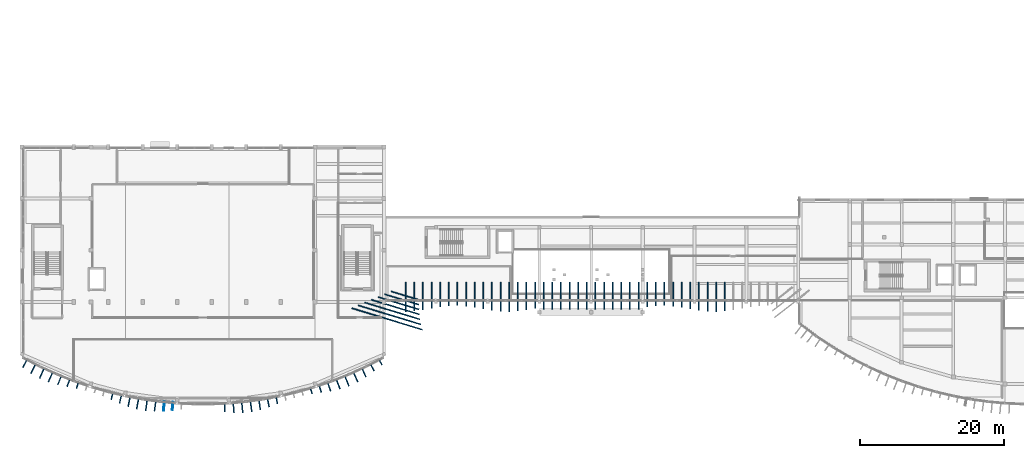
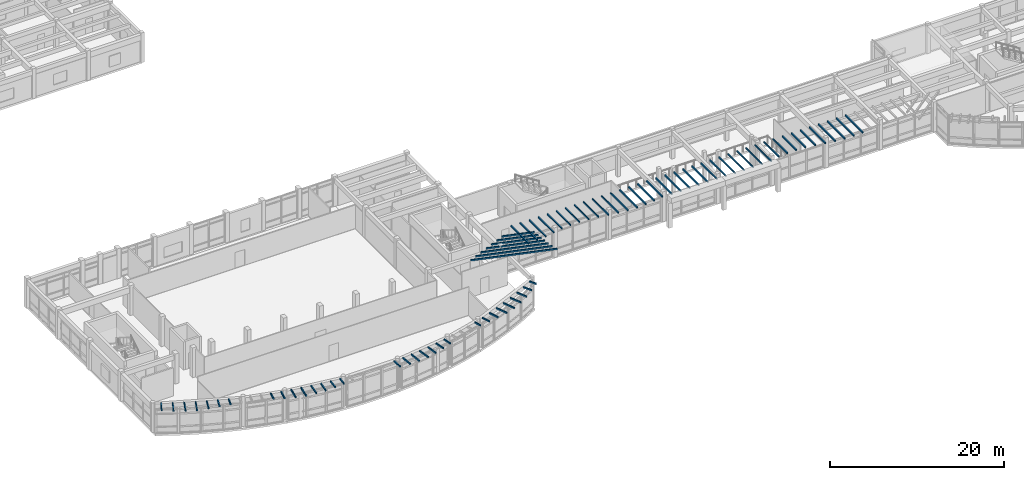
# One storey, part 45 of 60: 76 discrete accessories.
"""IFC4 building model written with IfcOpenShell, lengths in metres."""

from ifc_helpers import new_model, si_unit, direction, frame, origin, origin_2d, place, context, subcontext, project, spatial, rectangle, extrude, material, type_object, element, save


model = new_model("IFC4")

# Units and contexts
model_context = context("Model", 3, precision=1e-05, world=origin(), true_north=direction((0.0, 1.0)))
body_context = subcontext(model_context, "Body", "Model", "MODEL_VIEW")
ifc_project = project(units=[si_unit("LENGTHUNIT", "METRE"), si_unit("AREAUNIT", "SQUARE_METRE"), si_unit("VOLUMEUNIT", "CUBIC_METRE"), si_unit("PLANEANGLEUNIT", "RADIAN"), si_unit("MASSUNIT", "GRAM", prefix="KILO")], contexts=[model_context])

# Site, building, storey
site_placement = place(None, origin())
site = spatial("IfcSite", under=ifc_project, at=site_placement, CompositionType="ELEMENT")
building_placement = place(site_placement, origin())
building = spatial("IfcBuilding", under=site, at=building_placement, Name="Brisavento Harbour Community Centre", CompositionType="ELEMENT")
storey_placement = place(building_placement, frame((0.0, 0.0, 4.5)))
storey = spatial("IfcBuildingStorey", under=building, at=storey_placement, Name="L01", CompositionType="ELEMENT", Elevation=4.5)

# Discrete accessories
ifc_material = material(Name="Stainless steel 1.4401", Category="steel")
discrete_accessory_type = type_object("IfcDiscreteAccessoryType", Name="BRK-FIN-SS", PredefinedType="BRACKET", material=ifc_material)
discrete_accessory_1_placement = place(storey_placement, frame((0.431884765625, 5.878662109375, 3.97998046875), z_axis=(0.0, 0.0, 1.0), x_axis=(-0.461702168823, -0.887035009063, 0.0)))
element("IfcDiscreteAccessory", 1, at=discrete_accessory_1_placement, inside=storey, type_object=discrete_accessory_type, Name="Stainless-steel storm-fin bracket 001.3", PredefinedType="BRACKET", context=body_context, shape_type="SweptSolid", body=[
    extrude(rectangle(XDim=1.32861328125, YDim=0.139892578125, at=origin_2d()), origin(), (0.0, 0.0, 1.0), 0.199951171875),
])
discrete_accessory_2_placement = place(storey_placement, frame((1.58447265625, 5.1630859375, 3.97998046875), z_axis=(0.0, 0.0, 1.0), x_axis=(-0.461702168823, -0.887035009063, 0.0)))
element("IfcDiscreteAccessory", 2, at=discrete_accessory_2_placement, inside=storey, type_object=discrete_accessory_type, Name="Stainless-steel storm-fin bracket 002.3", PredefinedType="BRACKET", context=body_context, shape_type="SweptSolid", body=[
    extrude(rectangle(XDim=1.533935546875, YDim=0.139892578125, at=origin_2d()), origin(), (0.0, 0.0, 1.0), 0.199951171875),
])
discrete_accessory_3_placement = place(storey_placement, frame((2.786376953125, 4.5234375, 3.97998046875), z_axis=(0.0, 0.0, 1.0), x_axis=(-0.415518926407, -0.909584532519, 0.0)))
element("IfcDiscreteAccessory", 3, at=discrete_accessory_3_placement, inside=storey, type_object=discrete_accessory_type, Name="Stainless-steel storm-fin bracket 003.3", PredefinedType="BRACKET", context=body_context, shape_type="SweptSolid", body=[
    extrude(rectangle(XDim=1.627685546875, YDim=0.139892578125, at=origin_2d()), origin(), (0.0, 0.0, 1.0), 0.199951171875),
])
discrete_accessory_4_placement = place(storey_placement, frame((3.99560546875, 3.99560546875, 3.97998046875), z_axis=(0.0, 0.0, 1.0), x_axis=(-0.415518926407, -0.909584532519, 0.0)))
element("IfcDiscreteAccessory", 4, at=discrete_accessory_4_placement, inside=storey, type_object=discrete_accessory_type, Name="Stainless-steel storm-fin bracket 004.3", PredefinedType="BRACKET", context=body_context, shape_type="SweptSolid", body=[
    extrude(rectangle(XDim=1.583251953125, YDim=0.139892578125, at=origin_2d()), origin(), (0.0, 0.0, 1.0), 0.199951171875),
])
discrete_accessory_5_placement = place(storey_placement, frame((5.248779296875, 3.549560546875, 3.97998046875), z_axis=(0.0, 0.0, 1.0), x_axis=(-0.369341311525, -0.92929381554, 0.0)))
element("IfcDiscreteAccessory", 5, at=discrete_accessory_5_placement, inside=storey, type_object=discrete_accessory_type, Name="Stainless-steel storm-fin bracket 005.3", PredefinedType="BRACKET", context=body_context, shape_type="SweptSolid", body=[
    extrude(rectangle(XDim=1.419189453125, YDim=0.139892578125, at=origin_2d()), origin(), (0.0, 0.0, 1.0), 0.199951171875),
])
discrete_accessory_6_placement = place(storey_placement, frame((6.490966796875, 3.17919921875, 3.97998046875), z_axis=(0.0, 0.0, 1.0), x_axis=(-0.369341311525, -0.92929381554, 0.0)))
element("IfcDiscreteAccessory", 6, at=discrete_accessory_6_placement, inside=storey, type_object=discrete_accessory_type, Name="Stainless-steel storm-fin bracket 006.3", PredefinedType="BRACKET", context=body_context, shape_type="SweptSolid", body=[
    extrude(rectangle(XDim=1.18994140625, YDim=0.139892578125, at=origin_2d()), origin(), (0.0, 0.0, 1.0), 0.199951171875),
])
discrete_accessory_7_placement = place(storey_placement, frame((7.74072265625, 2.836181640625, 3.97998046875), z_axis=(0.0, 0.0, 1.0), x_axis=(-0.323174264667, -0.94633947115, 0.0)))
element("IfcDiscreteAccessory", 7, at=discrete_accessory_7_placement, inside=storey, type_object=discrete_accessory_type, Name="Stainless-steel storm-fin bracket 007.3", PredefinedType="BRACKET", context=body_context, shape_type="SweptSolid", body=[
    extrude(rectangle(XDim=0.96728515625, YDim=0.139892578125, at=origin_2d()), origin(), (0.0, 0.0, 1.0), 0.199951171875),
])
discrete_accessory_8_placement = place(storey_placement, frame((12.54736328125, 1.339111328125, 3.97998046875), z_axis=(0.0, 0.0, 1.0), x_axis=(-0.230830981037, -0.972993863389, 0.0)))
element("IfcDiscreteAccessory", 8, at=discrete_accessory_8_placement, inside=storey, type_object=discrete_accessory_type, Name="Stainless-steel storm-fin bracket 011.3", PredefinedType="BRACKET", context=body_context, shape_type="SweptSolid", body=[
    extrude(rectangle(XDim=1.0556640625, YDim=0.139892578125, at=origin_2d()), origin(), (0.0, 0.0, 1.0), 0.199951171875),
])
discrete_accessory_9_placement = place(storey_placement, frame((13.721435546875, 0.945068359375, 3.97998046875), z_axis=(0.0, 0.0, 1.0), x_axis=(-0.230830981037, -0.972993863389, 0.0)))
element("IfcDiscreteAccessory", 9, at=discrete_accessory_9_placement, inside=storey, type_object=discrete_accessory_type, Name="Stainless-steel storm-fin bracket 012.3", PredefinedType="BRACKET", context=body_context, shape_type="SweptSolid", body=[
    extrude(rectangle(XDim=1.28076171875, YDim=0.139892578125, at=origin_2d()), origin(), (0.0, 0.0, 1.0), 0.199951171875),
])
discrete_accessory_10_placement = place(storey_placement, frame((14.91845703125, 0.5869140625, 3.97998046875), z_axis=(0.0, 0.0, 1.0), x_axis=(-0.184671830369, -0.982800241691, 0.0)))
element("IfcDiscreteAccessory", 10, at=discrete_accessory_10_placement, inside=storey, type_object=discrete_accessory_type, Name="Stainless-steel storm-fin bracket 013.3", PredefinedType="BRACKET", context=body_context, shape_type="SweptSolid", body=[
    extrude(rectangle(XDim=1.4833984375, YDim=0.139892578125, at=origin_2d()), origin(), (0.0, 0.0, 1.0), 0.199951171875),
])
discrete_accessory_11_placement = place(storey_placement, frame((16.10693359375, 0.30029296875, 3.97998046875), z_axis=(0.0, 0.0, 1.0), x_axis=(-0.184671830369, -0.982800241691, 0.0)))
element("IfcDiscreteAccessory", 11, at=discrete_accessory_11_placement, inside=storey, type_object=discrete_accessory_type, Name="Stainless-steel storm-fin bracket 014.3", PredefinedType="BRACKET", context=body_context, shape_type="SweptSolid", body=[
    extrude(rectangle(XDim=1.60791015625, YDim=0.139892578125, at=origin_2d()), origin(), (0.0, 0.0, 1.0), 0.199951171875),
])
discrete_accessory_12_placement = place(storey_placement, frame((17.329345703125, 0.093505859375, 3.97998046875), z_axis=(0.0, 0.0, 1.0), x_axis=(-0.138499014678, -0.990362571452, 0.0)))
element("IfcDiscreteAccessory", 12, at=discrete_accessory_12_placement, inside=storey, type_object=discrete_accessory_type, Name="Stainless-steel storm-fin bracket 015.3", PredefinedType="BRACKET", context=body_context, shape_type="SweptSolid", body=[
    extrude(rectangle(XDim=1.620849609375, YDim=0.139892578125, at=origin_2d()), origin(), (0.0, 0.0, 1.0), 0.199951171875),
])
discrete_accessory_13_placement = place(storey_placement, frame((18.536376953125, -0.0244140625, 3.97998046875), z_axis=(0.0, 0.0, 1.0), x_axis=(-0.138499014678, -0.990362571452, 0.0)))
element("IfcDiscreteAccessory", 13, at=discrete_accessory_13_placement, inside=storey, type_object=discrete_accessory_type, Name="Stainless-steel storm-fin bracket 016.3", PredefinedType="BRACKET", context=body_context, shape_type="SweptSolid", body=[
    extrude(rectangle(XDim=1.52001953125, YDim=0.139892578125, at=origin_2d()), origin(), (0.0, 0.0, 1.0), 0.199951171875),
])
discrete_accessory_14_placement = place(storey_placement, frame((19.76611328125, -0.073486328125, 3.97998046875), z_axis=(0.0, 0.0, 1.0), x_axis=(-0.092335830041, -0.99572792192, 0.0)))
element("IfcDiscreteAccessory", 14, at=discrete_accessory_14_placement, inside=storey, type_object=discrete_accessory_type, Name="Stainless-steel storm-fin bracket 017.3", PredefinedType="BRACKET", context=body_context, shape_type="SweptSolid", body=[
    extrude(rectangle(XDim=1.333740234375, YDim=0.139892578125, at=origin_2d()), origin(), (0.0, 0.0, 1.0), 0.199951171875),
])
discrete_accessory_15_placement = place(storey_placement, frame((20.976318359375, -0.074951171875, 3.97998046875), z_axis=(0.0, 0.0, 1.0), x_axis=(-0.092335830041, -0.99572792192, 0.0)))
element("IfcDiscreteAccessory", 15, at=discrete_accessory_15_placement, inside=storey, type_object=discrete_accessory_type, Name="Stainless-steel storm-fin bracket 018.3", PredefinedType="BRACKET", context=body_context, shape_type="SweptSolid", body=[
    extrude(rectangle(XDim=1.11279296875, YDim=0.139892578125, at=origin_2d()), origin(), (0.0, 0.0, 1.0), 0.199951171875),
])
discrete_accessory_16_placement = place(storey_placement, frame((28.216064453125, -0.251708984375, 3.97998046875), z_axis=(0.0, 0.0, 1.0), x_axis=(0.0461649984, -0.9989338281, 0.0)))
element("IfcDiscreteAccessory", 16, at=discrete_accessory_16_placement, inside=storey, type_object=discrete_accessory_type, Name="Stainless-steel storm-fin bracket 020.3", PredefinedType="BRACKET", context=body_context, shape_type="SweptSolid", body=[
    extrude(rectangle(XDim=1.29833984375, YDim=0.139892578125, at=origin_2d()), origin(), (0.0, 0.0, 1.0), 0.199951171875),
])
discrete_accessory_17_placement = place(storey_placement, frame((29.441162109375, -0.264404296875, 3.97998046875), z_axis=(0.0, 0.0, 1.0), x_axis=(0.092335830041, -0.99572792192, 0.0)))
element("IfcDiscreteAccessory", 17, at=discrete_accessory_17_placement, inside=storey, type_object=discrete_accessory_type, Name="Stainless-steel storm-fin bracket 021.3", PredefinedType="BRACKET", context=body_context, shape_type="SweptSolid", body=[
    extrude(rectangle(XDim=1.49365234375, YDim=0.139892578125, at=origin_2d()), origin(), (0.0, 0.0, 1.0), 0.199951171875),
])
discrete_accessory_18_placement = place(storey_placement, frame((30.646728515625, -0.211669921875, 3.97998046875), z_axis=(0.0, 0.0, 1.0), x_axis=(0.092335830041, -0.99572792192, 0.0)))
element("IfcDiscreteAccessory", 18, at=discrete_accessory_18_placement, inside=storey, type_object=discrete_accessory_type, Name="Stainless-steel storm-fin bracket 022.3", PredefinedType="BRACKET", context=body_context, shape_type="SweptSolid", body=[
    extrude(rectangle(XDim=1.611083984375, YDim=0.139892578125, at=origin_2d()), origin(), (0.0, 0.0, 1.0), 0.199951171875),
])
discrete_accessory_19_placement = place(storey_placement, frame((31.87060546875, -0.0732421875, 3.97998046875), z_axis=(0.0, 0.0, 1.0), x_axis=(0.138499014678, -0.990362571452, 0.0)))
element("IfcDiscreteAccessory", 19, at=discrete_accessory_19_placement, inside=storey, type_object=discrete_accessory_type, Name="Stainless-steel storm-fin bracket 023.3", PredefinedType="BRACKET", context=body_context, shape_type="SweptSolid", body=[
    extrude(rectangle(XDim=1.618896484375, YDim=0.139892578125, at=origin_2d()), origin(), (0.0, 0.0, 1.0), 0.199951171875),
])
discrete_accessory_20_placement = place(storey_placement, frame((33.063232421875, 0.146484375, 3.97998046875), z_axis=(0.0, 0.0, 1.0), x_axis=(0.138499014678, -0.990362571452, 0.0)))
element("IfcDiscreteAccessory", 20, at=discrete_accessory_20_placement, inside=storey, type_object=discrete_accessory_type, Name="Stainless-steel storm-fin bracket 024.3", PredefinedType="BRACKET", context=body_context, shape_type="SweptSolid", body=[
    extrude(rectangle(XDim=1.513916015625, YDim=0.139892578125, at=origin_2d()), origin(), (0.0, 0.0, 1.0), 0.199951171875),
])
discrete_accessory_21_placement = place(storey_placement, frame((34.266845703125, 0.440185546875, 3.97998046875), z_axis=(0.0, 0.0, 1.0), x_axis=(0.184671830369, -0.982800241691, 0.0)))
element("IfcDiscreteAccessory", 21, at=discrete_accessory_21_placement, inside=storey, type_object=discrete_accessory_type, Name="Stainless-steel storm-fin bracket 025.3", PredefinedType="BRACKET", context=body_context, shape_type="SweptSolid", body=[
    extrude(rectangle(XDim=1.323486328125, YDim=0.139892578125, at=origin_2d()), origin(), (0.0, 0.0, 1.0), 0.199951171875),
])
discrete_accessory_22_placement = place(storey_placement, frame((35.4462890625, 0.775634765625, 3.97998046875), z_axis=(0.0, 0.0, 1.0), x_axis=(0.184671830369, -0.982800241691, 0.0)))
element("IfcDiscreteAccessory", 22, at=discrete_accessory_22_placement, inside=storey, type_object=discrete_accessory_type, Name="Stainless-steel storm-fin bracket 026.3", PredefinedType="BRACKET", context=body_context, shape_type="SweptSolid", body=[
    extrude(rectangle(XDim=1.099853515625, YDim=0.139892578125, at=origin_2d()), origin(), (0.0, 0.0, 1.0), 0.199951171875),
])
discrete_accessory_23_placement = place(storey_placement, frame((40.244384765625, 2.06787109375, 3.97998046875), z_axis=(0.0, 0.0, 1.0), x_axis=(0.276996031628, -0.96087106235, 0.0)))
element("IfcDiscreteAccessory", 23, at=discrete_accessory_23_placement, inside=storey, type_object=discrete_accessory_type, Name="Stainless-steel storm-fin bracket 030.3", PredefinedType="BRACKET", context=body_context, shape_type="SweptSolid", body=[
    extrude(rectangle(XDim=0.921142578125, YDim=0.139892578125, at=origin_2d()), origin(), (0.0, 0.0, 1.0), 0.199951171875),
])
discrete_accessory_24_placement = place(storey_placement, frame((41.4853515625, 2.350341796875, 3.97998046875), z_axis=(0.0, 0.0, 1.0), x_axis=(0.323174264667, -0.94633947115, 0.0)))
element("IfcDiscreteAccessory", 24, at=discrete_accessory_24_placement, inside=storey, type_object=discrete_accessory_type, Name="Stainless-steel storm-fin bracket 031.3", PredefinedType="BRACKET", context=body_context, shape_type="SweptSolid", body=[
    extrude(rectangle(XDim=1.1279296875, YDim=0.139892578125, at=origin_2d()), origin(), (0.0, 0.0, 1.0), 0.199951171875),
])
discrete_accessory_25_placement = place(storey_placement, frame((42.72265625, 2.650634765625, 3.97998046875), z_axis=(0.0, 0.0, 1.0), x_axis=(0.323174264667, -0.94633947115, 0.0)))
element("IfcDiscreteAccessory", 25, at=discrete_accessory_25_placement, inside=storey, type_object=discrete_accessory_type, Name="Stainless-steel storm-fin bracket 032.3", PredefinedType="BRACKET", context=body_context, shape_type="SweptSolid", body=[
    extrude(rectangle(XDim=1.359130859375, YDim=0.139892578125, at=origin_2d()), origin(), (0.0, 0.0, 1.0), 0.199951171875),
])
discrete_accessory_26_placement = place(storey_placement, frame((43.974609375, 3.013916015625, 3.97998046875), z_axis=(0.0, 0.0, 1.0), x_axis=(0.369341311525, -0.92929381554, 0.0)))
element("IfcDiscreteAccessory", 26, at=discrete_accessory_26_placement, inside=storey, type_object=discrete_accessory_type, Name="Stainless-steel storm-fin bracket 033.3", PredefinedType="BRACKET", context=body_context, shape_type="SweptSolid", body=[
    extrude(rectangle(XDim=1.54541015625, YDim=0.139892578125, at=origin_2d()), origin(), (0.0, 0.0, 1.0), 0.199951171875),
])
discrete_accessory_27_placement = place(storey_placement, frame((45.18994140625, 3.4521484375, 3.97998046875), z_axis=(0.0, 0.0, 1.0), x_axis=(0.369341311525, -0.92929381554, 0.0)))
element("IfcDiscreteAccessory", 27, at=discrete_accessory_27_placement, inside=storey, type_object=discrete_accessory_type, Name="Stainless-steel storm-fin bracket 034.3", PredefinedType="BRACKET", context=body_context, shape_type="SweptSolid", body=[
    extrude(rectangle(XDim=1.628662109375, YDim=0.139892578125, at=origin_2d()), origin(), (0.0, 0.0, 1.0), 0.199951171875),
])
discrete_accessory_28_placement = place(storey_placement, frame((46.403564453125, 3.9970703125, 3.97998046875), z_axis=(0.0, 0.0, 1.0), x_axis=(0.415518926407, -0.909584532519, 0.0)))
element("IfcDiscreteAccessory", 28, at=discrete_accessory_28_placement, inside=storey, type_object=discrete_accessory_type, Name="Stainless-steel storm-fin bracket 035.3", PredefinedType="BRACKET", context=body_context, shape_type="SweptSolid", body=[
    extrude(rectangle(XDim=1.57958984375, YDim=0.139892578125, at=origin_2d()), origin(), (0.0, 0.0, 1.0), 0.199951171875),
])
discrete_accessory_29_placement = place(storey_placement, frame((47.568359375, 4.62255859375, 3.97998046875), z_axis=(0.0, 0.0, 1.0), x_axis=(0.415518926407, -0.909584532519, 0.0)))
element("IfcDiscreteAccessory", 29, at=discrete_accessory_29_placement, inside=storey, type_object=discrete_accessory_type, Name="Stainless-steel storm-fin bracket 036.3", PredefinedType="BRACKET", context=body_context, shape_type="SweptSolid", body=[
    extrude(rectangle(XDim=1.41015625, YDim=0.139892578125, at=origin_2d()), origin(), (0.0, 0.0, 1.0), 0.199951171875),
])
discrete_accessory_30_placement = place(storey_placement, frame((48.73193359375, 5.323974609375, 3.97998046875), z_axis=(0.0, 0.0, 1.0), x_axis=(0.461702168823, -0.887035009063, 0.0)))
element("IfcDiscreteAccessory", 30, at=discrete_accessory_30_placement, inside=storey, type_object=discrete_accessory_type, Name="Stainless-steel storm-fin bracket 037.3", PredefinedType="BRACKET", context=body_context, shape_type="SweptSolid", body=[
    extrude(rectangle(XDim=1.17138671875, YDim=0.139892578125, at=origin_2d()), origin(), (0.0, 0.0, 1.0), 0.199951171875),
])
discrete_accessory_31_placement = place(storey_placement, frame((49.878662109375, 6.050537109375, 3.97998046875), z_axis=(0.0, 0.0, 1.0), x_axis=(0.461702168823, -0.887035009063, 0.0)))
element("IfcDiscreteAccessory", 31, at=discrete_accessory_31_placement, inside=storey, type_object=discrete_accessory_type, Name="Stainless-steel storm-fin bracket 038.3", PredefinedType="BRACKET", context=body_context, shape_type="SweptSolid", body=[
    extrude(rectangle(XDim=0.941162109375, YDim=0.139892578125, at=origin_2d()), origin(), (0.0, 0.0, 1.0), 0.199951171875),
])
discrete_accessory_32_placement = place(storey_placement, frame((50.813232421875, 12.0400390625, 3.97998046875), z_axis=(0.0, 0.0, 1.0), x_axis=(0.956676487643, -0.291153049083, 0.0)))
element("IfcDiscreteAccessory", 32, at=discrete_accessory_32_placement, inside=storey, type_object=discrete_accessory_type, Name="Stainless-steel storm-fin bracket 039.3", PredefinedType="BRACKET", context=body_context, shape_type="SweptSolid", body=[
    extrude(rectangle(XDim=10.231201171875, YDim=0.139892578125, at=origin_2d()), origin(), (0.0, 0.0, 1.0), 0.199951171875),
])
discrete_accessory_33_placement = place(storey_placement, frame((51.146728515625, 12.606201171875, 3.97998046875), z_axis=(0.0, 0.0, 1.0), x_axis=(0.956676487643, -0.291153049083, 0.0)))
element("IfcDiscreteAccessory", 33, at=discrete_accessory_33_placement, inside=storey, type_object=discrete_accessory_type, Name="Stainless-steel storm-fin bracket 040.3", PredefinedType="BRACKET", context=body_context, shape_type="SweptSolid", body=[
    extrude(rectangle(XDim=9.099365234375, YDim=0.139892578125, at=origin_2d()), origin(), (0.0, 0.0, 1.0), 0.199951171875),
])
discrete_accessory_34_placement = place(storey_placement, frame((51.53173828125, 13.15673828125, 3.97998046875), z_axis=(0.0, 0.0, 1.0), x_axis=(0.956676487643, -0.291153049083, 0.0)))
element("IfcDiscreteAccessory", 34, at=discrete_accessory_34_placement, inside=storey, type_object=discrete_accessory_type, Name="Stainless-steel storm-fin bracket 041.3", PredefinedType="BRACKET", context=body_context, shape_type="SweptSolid", body=[
    extrude(rectangle(XDim=8.005615234375, YDim=0.139892578125, at=origin_2d()), origin(), (0.0, 0.0, 1.0), 0.199951171875),
])
discrete_accessory_35_placement = place(storey_placement, frame((51.957763671875, 13.694580078125, 3.97998046875), z_axis=(0.0, 0.0, 1.0), x_axis=(0.956676487643, -0.291153049083, 0.0)))
element("IfcDiscreteAccessory", 35, at=discrete_accessory_35_placement, inside=storey, type_object=discrete_accessory_type, Name="Stainless-steel storm-fin bracket 042.3", PredefinedType="BRACKET", context=body_context, shape_type="SweptSolid", body=[
    extrude(rectangle(XDim=6.947509765625, YDim=0.139892578125, at=origin_2d()), origin(), (0.0, 0.0, 1.0), 0.199951171875),
])
discrete_accessory_36_placement = place(storey_placement, frame((52.4033203125, 14.226806640625, 3.97998046875), z_axis=(0.0, 0.0, 1.0), x_axis=(0.956676487643, -0.291153049083, 0.0)))
element("IfcDiscreteAccessory", 36, at=discrete_accessory_36_placement, inside=storey, type_object=discrete_accessory_type, Name="Stainless-steel storm-fin bracket 043.3", PredefinedType="BRACKET", context=body_context, shape_type="SweptSolid", body=[
    extrude(rectangle(XDim=5.918701171875, YDim=0.139892578125, at=origin_2d()), origin(), (0.0, 0.0, 1.0), 0.199951171875),
])
discrete_accessory_37_placement = place(storey_placement, frame((52.841552734375, 14.760986328125, 3.97998046875), z_axis=(0.0, 0.0, 1.0), x_axis=(0.956676487643, -0.291153049083, 0.0)))
element("IfcDiscreteAccessory", 37, at=discrete_accessory_37_placement, inside=storey, type_object=discrete_accessory_type, Name="Stainless-steel storm-fin bracket 044.3", PredefinedType="BRACKET", context=body_context, shape_type="SweptSolid", body=[
    extrude(rectangle(XDim=4.90576171875, YDim=0.139892578125, at=origin_2d()), origin(), (0.0, 0.0, 1.0), 0.199951171875),
])
discrete_accessory_38_placement = place(storey_placement, frame((53.248046875, 15.304931640625, 3.97998046875), z_axis=(0.0, 0.0, 1.0), x_axis=(0.956676487643, -0.291153049083, 0.0)))
element("IfcDiscreteAccessory", 38, at=discrete_accessory_38_placement, inside=storey, type_object=discrete_accessory_type, Name="Stainless-steel storm-fin bracket 045.3", PredefinedType="BRACKET", context=body_context, shape_type="SweptSolid", body=[
    extrude(rectangle(XDim=3.892822265625, YDim=0.139892578125, at=origin_2d()), origin(), (0.0, 0.0, 1.0), 0.199951171875),
])
discrete_accessory_39_placement = place(storey_placement, frame((53.39990234375, 15.111328125, 3.97998046875), z_axis=(0.0, 0.0, 1.0), x_axis=(0.0, -1.0, 0.0)))
element("IfcDiscreteAccessory", 39, at=discrete_accessory_39_placement, inside=storey, type_object=discrete_accessory_type, Name="Stainless-steel storm-fin bracket 046.3", PredefinedType="BRACKET", context=body_context, shape_type="SweptSolid", body=[
    extrude(rectangle(XDim=4.077392578125, YDim=0.139892578125, at=origin_2d()), origin(), (0.0, 0.0, 1.0), 0.199951171875),
])
discrete_accessory_40_placement = place(storey_placement, frame((54.60009765625, 15.1513671875, 3.97998046875), z_axis=(0.0, 0.0, 1.0), x_axis=(0.0, -1.0, 0.0)))
element("IfcDiscreteAccessory", 40, at=discrete_accessory_40_placement, inside=storey, type_object=discrete_accessory_type, Name="Stainless-steel storm-fin bracket 047.3", PredefinedType="BRACKET", context=body_context, shape_type="SweptSolid", body=[
    extrude(rectangle(XDim=3.997314453125, YDim=0.139892578125, at=origin_2d()), origin(), (0.0, 0.0, 1.0), 0.199951171875),
])
discrete_accessory_41_placement = place(storey_placement, frame((55.800048828125, 15.2373046875, 3.97998046875), z_axis=(0.0, 0.0, 1.0), x_axis=(0.0, -1.0, 0.0)))
element("IfcDiscreteAccessory", 41, at=discrete_accessory_41_placement, inside=storey, type_object=discrete_accessory_type, Name="Stainless-steel storm-fin bracket 048.3", PredefinedType="BRACKET", context=body_context, shape_type="SweptSolid", body=[
    extrude(rectangle(XDim=3.825439453125, YDim=0.139892578125, at=origin_2d()), origin(), (0.0, 0.0, 1.0), 0.199951171875),
])
discrete_accessory_42_placement = place(storey_placement, frame((57.0, 15.345947265625, 3.97998046875), z_axis=(0.0, 0.0, 1.0), x_axis=(0.0, -1.0, 0.0)))
element("IfcDiscreteAccessory", 42, at=discrete_accessory_42_placement, inside=storey, type_object=discrete_accessory_type, Name="Stainless-steel storm-fin bracket 049.3", PredefinedType="BRACKET", context=body_context, shape_type="SweptSolid", body=[
    extrude(rectangle(XDim=3.60791015625, YDim=0.139892578125, at=origin_2d()), origin(), (0.0, 0.0, 1.0), 0.199951171875),
])
discrete_accessory_43_placement = place(storey_placement, frame((58.199951171875, 15.448486328125, 3.97998046875), z_axis=(0.0, 0.0, 1.0), x_axis=(0.0, -1.0, 0.0)))
element("IfcDiscreteAccessory", 43, at=discrete_accessory_43_placement, inside=storey, type_object=discrete_accessory_type, Name="Stainless-steel storm-fin bracket 050.3", PredefinedType="BRACKET", context=body_context, shape_type="SweptSolid", body=[
    extrude(rectangle(XDim=3.403076171875, YDim=0.139892578125, at=origin_2d()), origin(), (0.0, 0.0, 1.0), 0.199951171875),
])
discrete_accessory_44_placement = place(storey_placement, frame((59.39990234375, 15.51708984375, 3.97998046875), z_axis=(0.0, 0.0, 1.0), x_axis=(0.0, -1.0, 0.0)))
element("IfcDiscreteAccessory", 44, at=discrete_accessory_44_placement, inside=storey, type_object=discrete_accessory_type, Name="Stainless-steel storm-fin bracket 051.3", PredefinedType="BRACKET", context=body_context, shape_type="SweptSolid", body=[
    extrude(rectangle(XDim=3.265625, YDim=0.139892578125, at=origin_2d()), origin(), (0.0, 0.0, 1.0), 0.199951171875),
])
discrete_accessory_45_placement = place(storey_placement, frame((60.60009765625, 15.53369140625, 3.97998046875), z_axis=(0.0, 0.0, 1.0), x_axis=(0.0, -1.0, 0.0)))
element("IfcDiscreteAccessory", 45, at=discrete_accessory_45_placement, inside=storey, type_object=discrete_accessory_type, Name="Stainless-steel storm-fin bracket 052.3", PredefinedType="BRACKET", context=body_context, shape_type="SweptSolid", body=[
    extrude(rectangle(XDim=3.232666015625, YDim=0.139892578125, at=origin_2d()), origin(), (0.0, 0.0, 1.0), 0.199951171875),
])
discrete_accessory_46_placement = place(storey_placement, frame((61.800048828125, 15.49365234375, 3.97998046875), z_axis=(0.0, 0.0, 1.0), x_axis=(0.0, -1.0, 0.0)))
element("IfcDiscreteAccessory", 46, at=discrete_accessory_46_placement, inside=storey, type_object=discrete_accessory_type, Name="Stainless-steel storm-fin bracket 053.3", PredefinedType="BRACKET", context=body_context, shape_type="SweptSolid", body=[
    extrude(rectangle(XDim=3.312744140625, YDim=0.139892578125, at=origin_2d()), origin(), (0.0, 0.0, 1.0), 0.199951171875),
])
discrete_accessory_47_placement = place(storey_placement, frame((63.0, 15.40771484375, 3.97998046875), z_axis=(0.0, 0.0, 1.0), x_axis=(0.0, -1.0, 0.0)))
element("IfcDiscreteAccessory", 47, at=discrete_accessory_47_placement, inside=storey, type_object=discrete_accessory_type, Name="Stainless-steel storm-fin bracket 054.3", PredefinedType="BRACKET", context=body_context, shape_type="SweptSolid", body=[
    extrude(rectangle(XDim=3.484619140625, YDim=0.139892578125, at=origin_2d()), origin(), (0.0, 0.0, 1.0), 0.199951171875),
])
discrete_accessory_48_placement = place(storey_placement, frame((64.199951171875, 15.299072265625, 3.97998046875), z_axis=(0.0, 0.0, 1.0), x_axis=(0.0, -1.0, 0.0)))
element("IfcDiscreteAccessory", 48, at=discrete_accessory_48_placement, inside=storey, type_object=discrete_accessory_type, Name="Stainless-steel storm-fin bracket 055.3", PredefinedType="BRACKET", context=body_context, shape_type="SweptSolid", body=[
    extrude(rectangle(XDim=3.701904296875, YDim=0.139892578125, at=origin_2d()), origin(), (0.0, 0.0, 1.0), 0.199951171875),
])
discrete_accessory_49_placement = place(storey_placement, frame((65.39990234375, 15.196533203125, 3.97998046875), z_axis=(0.0, 0.0, 1.0), x_axis=(0.0, -1.0, 0.0)))
element("IfcDiscreteAccessory", 49, at=discrete_accessory_49_placement, inside=storey, type_object=discrete_accessory_type, Name="Stainless-steel storm-fin bracket 056.3", PredefinedType="BRACKET", context=body_context, shape_type="SweptSolid", body=[
    extrude(rectangle(XDim=3.906982421875, YDim=0.139892578125, at=origin_2d()), origin(), (0.0, 0.0, 1.0), 0.199951171875),
])
discrete_accessory_50_placement = place(storey_placement, frame((66.60009765625, 15.1279296875, 3.97998046875), z_axis=(0.0, 0.0, 1.0), x_axis=(0.0, -1.0, 0.0)))
element("IfcDiscreteAccessory", 50, at=discrete_accessory_50_placement, inside=storey, type_object=discrete_accessory_type, Name="Stainless-steel storm-fin bracket 057.3", PredefinedType="BRACKET", context=body_context, shape_type="SweptSolid", body=[
    extrude(rectangle(XDim=4.044189453125, YDim=0.139892578125, at=origin_2d()), origin(), (0.0, 0.0, 1.0), 0.199951171875),
])
discrete_accessory_51_placement = place(storey_placement, frame((67.800048828125, 15.111328125, 3.97998046875), z_axis=(0.0, 0.0, 1.0), x_axis=(0.0, -1.0, 0.0)))
element("IfcDiscreteAccessory", 51, at=discrete_accessory_51_placement, inside=storey, type_object=discrete_accessory_type, Name="Stainless-steel storm-fin bracket 058.3", PredefinedType="BRACKET", context=body_context, shape_type="SweptSolid", body=[
    extrude(rectangle(XDim=4.077392578125, YDim=0.139892578125, at=origin_2d()), origin(), (0.0, 0.0, 1.0), 0.199951171875),
])
discrete_accessory_52_placement = place(storey_placement, frame((69.0, 15.1513671875, 3.97998046875), z_axis=(0.0, 0.0, 1.0), x_axis=(0.0, -1.0, 0.0)))
element("IfcDiscreteAccessory", 52, at=discrete_accessory_52_placement, inside=storey, type_object=discrete_accessory_type, Name="Stainless-steel storm-fin bracket 059.3", PredefinedType="BRACKET", context=body_context, shape_type="SweptSolid", body=[
    extrude(rectangle(XDim=3.997314453125, YDim=0.139892578125, at=origin_2d()), origin(), (0.0, 0.0, 1.0), 0.199951171875),
])
discrete_accessory_53_placement = place(storey_placement, frame((70.199951171875, 15.2373046875, 3.97998046875), z_axis=(0.0, 0.0, 1.0), x_axis=(0.0, -1.0, 0.0)))
element("IfcDiscreteAccessory", 53, at=discrete_accessory_53_placement, inside=storey, type_object=discrete_accessory_type, Name="Stainless-steel storm-fin bracket 060.3", PredefinedType="BRACKET", context=body_context, shape_type="SweptSolid", body=[
    extrude(rectangle(XDim=3.825439453125, YDim=0.139892578125, at=origin_2d()), origin(), (0.0, 0.0, 1.0), 0.199951171875),
])
discrete_accessory_54_placement = place(storey_placement, frame((71.39990234375, 15.345947265625, 3.97998046875), z_axis=(0.0, 0.0, 1.0), x_axis=(0.0, -1.0, 0.0)))
element("IfcDiscreteAccessory", 54, at=discrete_accessory_54_placement, inside=storey, type_object=discrete_accessory_type, Name="Stainless-steel storm-fin bracket 061.3", PredefinedType="BRACKET", context=body_context, shape_type="SweptSolid", body=[
    extrude(rectangle(XDim=3.60791015625, YDim=0.139892578125, at=origin_2d()), origin(), (0.0, 0.0, 1.0), 0.199951171875),
])
for number, where, z_axis, x_axis, name in (
    (55, (72.60009765625, 15.284912109375, 3.97998046875), (0.0, 0.0, 1.0), (0.0, -1.0, 0.0), "Stainless-steel storm-fin bracket 062.1"),
    (56, (73.800048828125, 15.284912109375, 3.97998046875), (0.0, 0.0, 1.0), (0.0, -1.0, 0.0), "Stainless-steel storm-fin bracket 063.1"),
    (57, (75.0, 15.284912109375, 3.97998046875), (0.0, 0.0, 1.0), (0.0, -1.0, 0.0), "Stainless-steel storm-fin bracket 064.1"),
    (58, (76.199951171875, 15.284912109375, 3.97998046875), (0.0, 0.0, 1.0), (0.0, -1.0, 0.0), "Stainless-steel storm-fin bracket 065.1"),
    (59, (77.39990234375, 15.284912109375, 3.97998046875), (0.0, 0.0, 1.0), (0.0, -1.0, 0.0), "Stainless-steel storm-fin bracket 066.1"),
    (60, (78.60009765625, 15.284912109375, 3.97998046875), (0.0, 0.0, 1.0), (0.0, -1.0, 0.0), "Stainless-steel storm-fin bracket 067.1"),
    (61, (79.800048828125, 15.284912109375, 3.97998046875), (0.0, 0.0, 1.0), (0.0, -1.0, 0.0), "Stainless-steel storm-fin bracket 068.1"),
    (62, (81.0, 15.284912109375, 3.97998046875), (0.0, 0.0, 1.0), (0.0, -1.0, 0.0), "Stainless-steel storm-fin bracket 069.1"),
    (63, (82.199951171875, 15.284912109375, 3.97998046875), (0.0, 0.0, 1.0), (0.0, -1.0, 0.0), "Stainless-steel storm-fin bracket 070.1"),
    (64, (83.39990234375, 15.284912109375, 3.97998046875), (0.0, 0.0, 1.0), (0.0, -1.0, 0.0), "Stainless-steel storm-fin bracket 071.1"),
    (65, (84.60009765625, 15.284912109375, 3.97998046875), (0.0, 0.0, 1.0), (0.0, -1.0, 0.0), "Stainless-steel storm-fin bracket 072.1"),
    (66, (85.800048828125, 15.284912109375, 3.97998046875), (0.0, 0.0, 1.0), (0.0, -1.0, 0.0), "Stainless-steel storm-fin bracket 073.1"),
):
    element("IfcDiscreteAccessory", number, at=place(storey_placement, frame(where, z_axis=z_axis, x_axis=x_axis)), inside=storey, type_object=discrete_accessory_type, Name=name, PredefinedType="BRACKET", context=body_context, shape_type="SweptSolid", body=[
        extrude(rectangle(XDim=3.72998046875, YDim=0.139892578125, at=origin_2d()), origin(), (0.0, 0.0, 1.0), 0.199951171875),
    ])
discrete_accessory_55_placement = place(storey_placement, frame((87.0, 15.448486328125, 3.97998046875), z_axis=(0.0, 0.0, 1.0), x_axis=(0.0, -1.0, 0.0)))
element("IfcDiscreteAccessory", 67, at=discrete_accessory_55_placement, inside=storey, type_object=discrete_accessory_type, Name="Stainless-steel storm-fin bracket 074.3", PredefinedType="BRACKET", context=body_context, shape_type="SweptSolid", body=[
    extrude(rectangle(XDim=3.403076171875, YDim=0.139892578125, at=origin_2d()), origin(), (0.0, 0.0, 1.0), 0.199951171875),
])
discrete_accessory_56_placement = place(storey_placement, frame((88.199951171875, 15.51708984375, 3.97998046875), z_axis=(0.0, 0.0, 1.0), x_axis=(0.0, -1.0, 0.0)))
element("IfcDiscreteAccessory", 68, at=discrete_accessory_56_placement, inside=storey, type_object=discrete_accessory_type, Name="Stainless-steel storm-fin bracket 075.3", PredefinedType="BRACKET", context=body_context, shape_type="SweptSolid", body=[
    extrude(rectangle(XDim=3.265625, YDim=0.139892578125, at=origin_2d()), origin(), (0.0, 0.0, 1.0), 0.199951171875),
])
discrete_accessory_57_placement = place(storey_placement, frame((89.39990234375, 15.53369140625, 3.97998046875), z_axis=(0.0, 0.0, 1.0), x_axis=(0.0, -1.0, 0.0)))
element("IfcDiscreteAccessory", 69, at=discrete_accessory_57_placement, inside=storey, type_object=discrete_accessory_type, Name="Stainless-steel storm-fin bracket 076.3", PredefinedType="BRACKET", context=body_context, shape_type="SweptSolid", body=[
    extrude(rectangle(XDim=3.232666015625, YDim=0.139892578125, at=origin_2d()), origin(), (0.0, 0.0, 1.0), 0.199951171875),
])
discrete_accessory_58_placement = place(storey_placement, frame((90.60009765625, 15.49365234375, 3.97998046875), z_axis=(0.0, 0.0, 1.0), x_axis=(0.0, -1.0, 0.0)))
element("IfcDiscreteAccessory", 70, at=discrete_accessory_58_placement, inside=storey, type_object=discrete_accessory_type, Name="Stainless-steel storm-fin bracket 077.3", PredefinedType="BRACKET", context=body_context, shape_type="SweptSolid", body=[
    extrude(rectangle(XDim=3.312744140625, YDim=0.139892578125, at=origin_2d()), origin(), (0.0, 0.0, 1.0), 0.199951171875),
])
discrete_accessory_59_placement = place(storey_placement, frame((91.800048828125, 15.40771484375, 3.97998046875), z_axis=(0.0, 0.0, 1.0), x_axis=(0.0, -1.0, 0.0)))
element("IfcDiscreteAccessory", 71, at=discrete_accessory_59_placement, inside=storey, type_object=discrete_accessory_type, Name="Stainless-steel storm-fin bracket 078.3", PredefinedType="BRACKET", context=body_context, shape_type="SweptSolid", body=[
    extrude(rectangle(XDim=3.484619140625, YDim=0.139892578125, at=origin_2d()), origin(), (0.0, 0.0, 1.0), 0.199951171875),
])
discrete_accessory_60_placement = place(storey_placement, frame((93.0, 15.299072265625, 3.97998046875), z_axis=(0.0, 0.0, 1.0), x_axis=(0.0, -1.0, 0.0)))
element("IfcDiscreteAccessory", 72, at=discrete_accessory_60_placement, inside=storey, type_object=discrete_accessory_type, Name="Stainless-steel storm-fin bracket 079.3", PredefinedType="BRACKET", context=body_context, shape_type="SweptSolid", body=[
    extrude(rectangle(XDim=3.701904296875, YDim=0.139892578125, at=origin_2d()), origin(), (0.0, 0.0, 1.0), 0.199951171875),
])
discrete_accessory_61_placement = place(storey_placement, frame((94.199951171875, 15.196533203125, 3.97998046875), z_axis=(0.0, 0.0, 1.0), x_axis=(0.0, -1.0, 0.0)))
element("IfcDiscreteAccessory", 73, at=discrete_accessory_61_placement, inside=storey, type_object=discrete_accessory_type, Name="Stainless-steel storm-fin bracket 080.3", PredefinedType="BRACKET", context=body_context, shape_type="SweptSolid", body=[
    extrude(rectangle(XDim=3.906982421875, YDim=0.139892578125, at=origin_2d()), origin(), (0.0, 0.0, 1.0), 0.199951171875),
])
discrete_accessory_62_placement = place(storey_placement, frame((95.39990234375, 15.1279296875, 3.97998046875), z_axis=(0.0, 0.0, 1.0), x_axis=(0.0, -1.0, 0.0)))
element("IfcDiscreteAccessory", 74, at=discrete_accessory_62_placement, inside=storey, type_object=discrete_accessory_type, Name="Stainless-steel storm-fin bracket 081.3", PredefinedType="BRACKET", context=body_context, shape_type="SweptSolid", body=[
    extrude(rectangle(XDim=4.044189453125, YDim=0.139892578125, at=origin_2d()), origin(), (0.0, 0.0, 1.0), 0.199951171875),
])
discrete_accessory_63_placement = place(storey_placement, frame((96.60009765625, 15.111328125, 3.97998046875), z_axis=(0.0, 0.0, 1.0), x_axis=(0.0, -1.0, 0.0)))
element("IfcDiscreteAccessory", 75, at=discrete_accessory_63_placement, inside=storey, type_object=discrete_accessory_type, Name="Stainless-steel storm-fin bracket 082.3", PredefinedType="BRACKET", context=body_context, shape_type="SweptSolid", body=[
    extrude(rectangle(XDim=4.077392578125, YDim=0.139892578125, at=origin_2d()), origin(), (0.0, 0.0, 1.0), 0.199951171875),
])
discrete_accessory_64_placement = place(storey_placement, frame((97.800048828125, 15.1513671875, 3.97998046875), z_axis=(0.0, 0.0, 1.0), x_axis=(0.0, -1.0, 0.0)))
element("IfcDiscreteAccessory", 76, at=discrete_accessory_64_placement, inside=storey, type_object=discrete_accessory_type, Name="Stainless-steel storm-fin bracket 083.3", PredefinedType="BRACKET", context=body_context, shape_type="SweptSolid", body=[
    extrude(rectangle(XDim=3.997314453125, YDim=0.139892578125, at=origin_2d()), origin(), (0.0, 0.0, 1.0), 0.199951171875),
])

save(model, "model.ifc")
